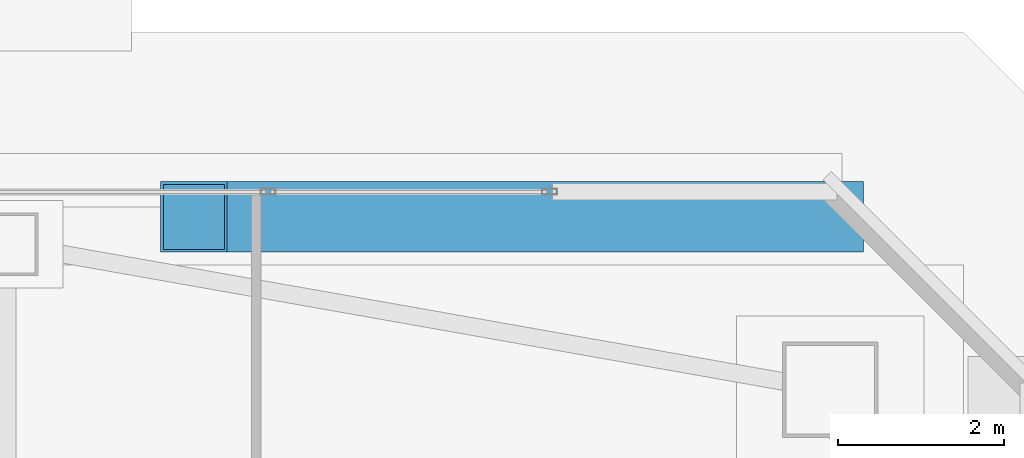
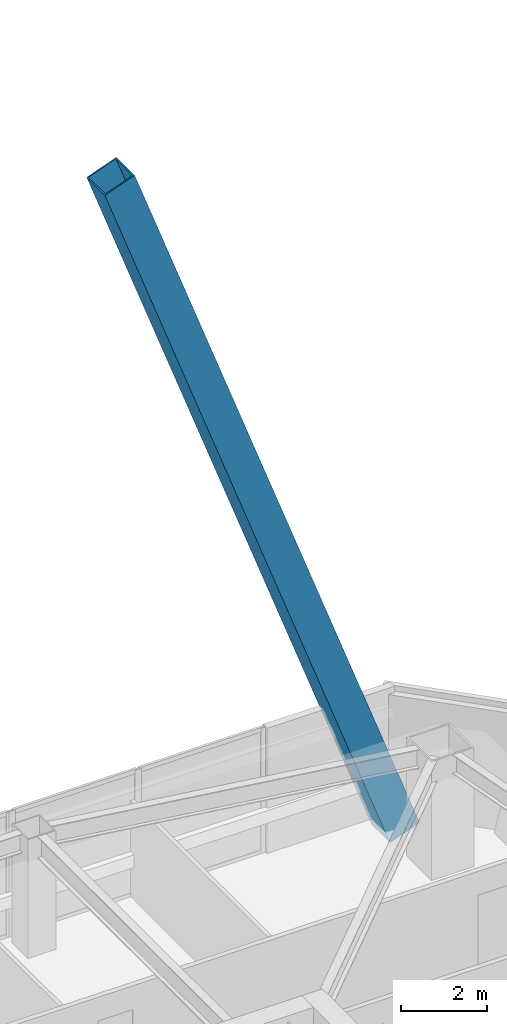
# One storey, part 23 of 65: 1 member.
"""IFC4 building model written with IfcOpenShell, lengths in metres."""

from ifc_helpers import new_model, si_unit, direction, frame, origin, origin_2d, place, context, subcontext, project, spatial, hollow_rectangle, extrude, material, material_profile, profile_set, type_object, element, save


model = new_model("IFC4")

# Units and contexts
model_context = context("Model", 3, precision=1e-05, world=origin(), true_north=direction((0.0, 1.0)))
body_context = subcontext(model_context, "Body", "Model", "MODEL_VIEW")
ifc_project = project(units=[si_unit("LENGTHUNIT", "METRE"), si_unit("AREAUNIT", "SQUARE_METRE"), si_unit("VOLUMEUNIT", "CUBIC_METRE"), si_unit("PLANEANGLEUNIT", "RADIAN"), si_unit("MASSUNIT", "GRAM", prefix="KILO")], contexts=[model_context])

# Site, building, storey
site_placement = place(None, origin())
site = spatial("IfcSite", under=ifc_project, at=site_placement, CompositionType="ELEMENT")
building_placement = place(site_placement, origin())
building = spatial("IfcBuilding", under=site, at=building_placement, Name="Tashvorn Skyway Center", CompositionType="ELEMENT")
storey_placement = place(building_placement, frame((0.0, 0.0, 157.0)))
storey = spatial("IfcBuildingStorey", under=building, at=storey_placement, Name="L42", CompositionType="ELEMENT", Elevation=157.0)

# Member
ifc_material = material(Name="Steel ASTM A572 Grade 50", Category="steel")
ifc_material_profile = material_profile(ifc_material, hollow_rectangle(XDim=0.85009765625, YDim=0.85009765625, WallThickness=0.034912109375, at=origin_2d()), Name="BOX850x850x35")
ifc_profile_set = profile_set([ifc_material_profile], Name="Steel ASTM A572 Grade 50")
member_type = type_object("IfcMemberType", Name="MEM-MB-850", PredefinedType="BRACE", material=ifc_profile_set)
member_placement = place(storey_placement, frame((57.300048828125, 49.3798828125, -0.199951171875), z_axis=(-0.341568887038, 0.0, 0.93985674196), x_axis=(0.0, -1.0, 0.0)))
element("IfcMember", 1, at=member_placement, inside=storey, type_object=member_type, Name="Tower 1 Zone 4 N Chevron Mega-Brace L1", PredefinedType="BRACE", context=body_context, shape_type="SweptSolid", body=[
    extrude(hollow_rectangle(XDim=0.85009765625, YDim=0.85009765625, WallThickness=0.034912109375, at=origin_2d()), origin(), (0.0, 0.0, 1.0), 22.39697265625),
])

save(model, "model.ifc")
